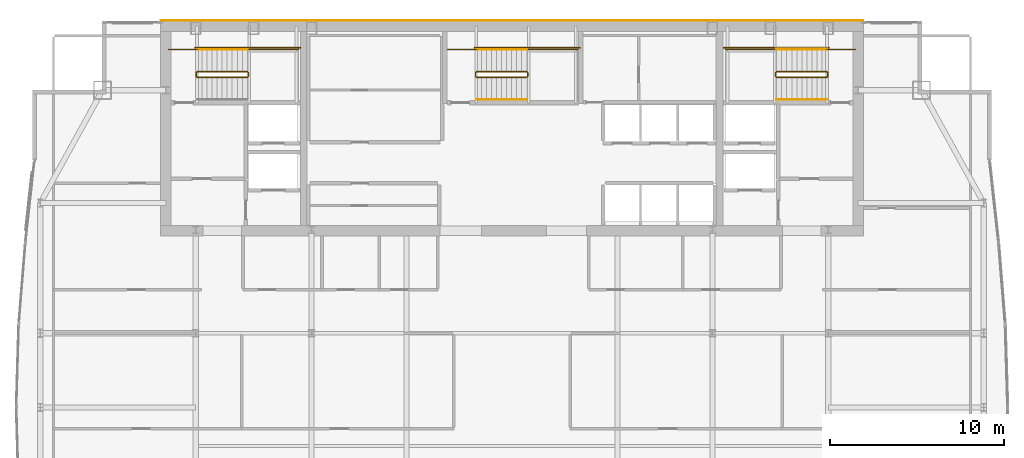
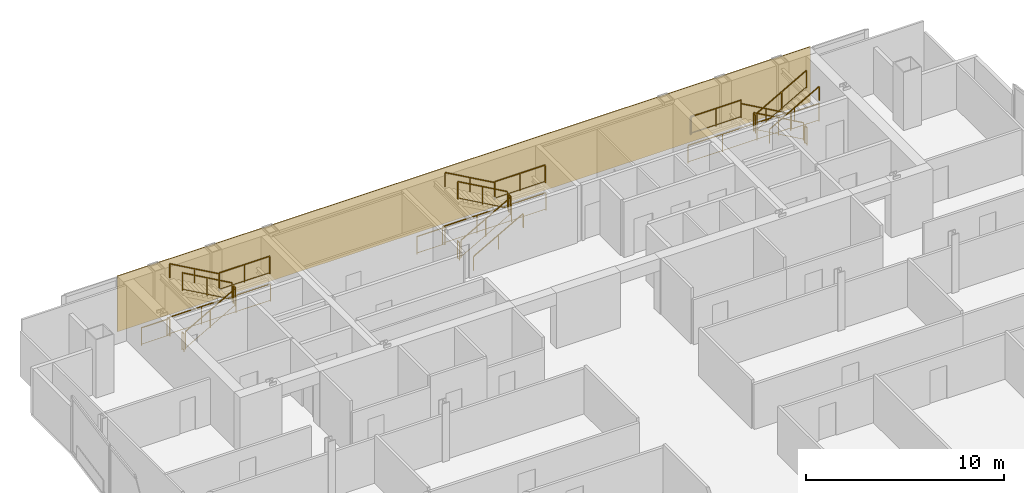
# One storey, part 29 of 29: 26 railings, 1 covering.
"""IFC4 building model written with IfcOpenShell, lengths in metres."""

import ifcopenshell
import ifcopenshell.guid

model = None  # the IFC model being written
_history = None  # IfcOwnerHistory: only IFC2X3 demands one
_inside = {}  # id of a spatial element -> (the spatial element, [elements in it])
_under = {}  # id of a project, library or spatial element -> (it, [spatial elements below it])
_declared = {}  # id of a project -> (the project, [libraries it declares])
_typed = {}  # id of a type object -> (the type object, [elements of that type])
_made_of = {}  # id of a material, layer set ... -> (it, [elements and type objects made of it])


def new_model(schema):
    """Start an empty IFC model of exactly this schema.

    Asked for "IFC4X3", IfcOpenShell would pick the latest addendum, in which some entities
    have other attributes; the version numbers below select the first issue.
    IFC2X3 requires an IfcOwnerHistory on every rooted entity: one is made here for all.
    """
    global model, _history
    if schema == "IFC4X3":
        model = ifcopenshell.file(schema_version=(4, 3, 0, 0))
    else:
        model = ifcopenshell.file(schema=schema)
    _inside.clear()
    _under.clear()
    _declared.clear()
    _typed.clear()
    _made_of.clear()
    _history = None
    if model.schema == "IFC2X3":
        org = make("IfcOrganization", Name="unknown")
        user = make(
            "IfcPersonAndOrganization",
            ThePerson=make("IfcPerson", FamilyName="unknown"),
            TheOrganization=org,
        )
        app = make(
            "IfcApplication",
            ApplicationDeveloper=org,
            Version="unknown",
            ApplicationFullName="unknown",
            ApplicationIdentifier="unknown",
        )
        _history = make(
            "IfcOwnerHistory",
            OwningUser=user,
            OwningApplication=app,
            ChangeAction="ADDED",
            CreationDate=0,
        )
    return model


def make(cls, **values):
    """One entity of the class cls with the attributes given. An attribute that is None is left unset."""
    return model.create_entity(
        cls, **{name: value for name, value in values.items() if value is not None}
    )


def rooted(cls, **values):
    """An entity with a GlobalId (a new one), such as an element, a storey or a relation."""
    return make(cls, GlobalId=ifcopenshell.guid.new(), OwnerHistory=_history, **values)


def si_unit(unit_type, name, prefix=None):
    """IfcSIUnit, for example si_unit("LENGTHUNIT", "METRE", prefix="MILLI")."""
    return make("IfcSIUnit", UnitType=unit_type, Prefix=prefix, Name=name)


def assignment(units):
    """IfcUnitAssignment: the units of a project."""
    return None if units is None else make("IfcUnitAssignment", Units=units)


def point(xyz):
    """IfcCartesianPoint."""
    return None if xyz is None else make("IfcCartesianPoint", Coordinates=xyz)


def direction(xyz):
    """IfcDirection."""
    return None if xyz is None else make("IfcDirection", DirectionRatios=xyz)


def frame(location, z_axis=None, x_axis=None):
    """IfcAxis2Placement3D, a coordinate frame: its origin and axes. An axis left out is left unset."""
    return make(
        "IfcAxis2Placement3D",
        Location=point(location),
        Axis=direction(z_axis),
        RefDirection=direction(x_axis),
    )


def frame_2d(location, x_axis=None):
    """IfcAxis2Placement2D, a coordinate frame in the plane: its origin and x axis."""
    return make(
        "IfcAxis2Placement2D", Location=point(location), RefDirection=direction(x_axis)
    )


def origin():
    """The frame at (0, 0, 0) with its axes left unset."""
    return frame((0.0, 0.0, 0.0))


def origin_2d():
    """The frame at (0, 0) in the plane with its x axis left unset."""
    return frame_2d((0.0, 0.0))


def place(relative_to, where):
    """IfcLocalPlacement: puts the frame where relative to a parent placement (None: the world)."""
    return make(
        "IfcLocalPlacement", PlacementRelTo=relative_to, RelativePlacement=where
    )


def context(
    kind, dimensions, precision=None, world=None, true_north=None, identifier=None
):
    """IfcGeometricRepresentationContext, for example the 3D "Model" context."""
    return make(
        "IfcGeometricRepresentationContext",
        ContextIdentifier=identifier,
        ContextType=kind,
        CoordinateSpaceDimension=dimensions,
        Precision=precision,
        WorldCoordinateSystem=world,
        TrueNorth=true_north,
    )


def subcontext(parent, identifier, kind, view, scale=None):
    """IfcGeometricRepresentationSubContext, for example "Body" below "Model"."""
    return make(
        "IfcGeometricRepresentationSubContext",
        ContextIdentifier=identifier,
        ContextType=kind,
        ParentContext=parent,
        TargetScale=scale,
        TargetView=view,
    )


def project(units=None, contexts=None):
    """IfcProject with its units and contexts."""
    return rooted(
        "IfcProject",
        Name="project",
        RepresentationContexts=contexts,
        UnitsInContext=assignment(units),
    )


def spatial(cls, under=None, at=None, **own):
    """A site, building, storey or space (cls), placed at a placement, below another one or the project."""
    s = rooted(cls, ObjectPlacement=at, **own)
    if under is not None:
        _under.setdefault(under.id(), (under, []))[1].append(s)
    return s


def polyline(points):
    """IfcPolyline through the points."""
    return make("IfcPolyline", Points=[point(p) for p in points])


def profile(cls, at=None, kind="AREA", **sizes):
    """A parametric profile (cls). Its sizes go by their IFC names, for example OverallWidth=200.0."""
    return make(cls, ProfileType=kind, Position=at, **sizes)


def rectangle(**sizes):
    """IfcRectangleProfileDef."""
    return profile("IfcRectangleProfileDef", **sizes)


def outline(outer, holes=None, kind="AREA"):
    """IfcArbitraryClosedProfileDef: a profile drawn as a closed curve; with holes, ...WithVoids."""
    if holes is None:
        return make("IfcArbitraryClosedProfileDef", ProfileType=kind, OuterCurve=outer)
    return make(
        "IfcArbitraryProfileDefWithVoids",
        ProfileType=kind,
        OuterCurve=outer,
        InnerCurves=holes,
    )


def extrude(swept, where, along, depth):
    """IfcExtrudedAreaSolid: the profile swept, set in the frame where, extruded along a direction by depth."""
    return make(
        "IfcExtrudedAreaSolid",
        SweptArea=swept,
        Position=where,
        ExtrudedDirection=direction(along),
        Depth=depth,
    )


def shape(context_of_items, identifier, shape_type, items):
    """IfcShapeRepresentation: the items that make up one representation, for example the "Body"."""
    return make(
        "IfcShapeRepresentation",
        ContextOfItems=context_of_items,
        RepresentationIdentifier=identifier,
        RepresentationType=shape_type,
        Items=items,
    )


def material(Name=None, Category=None):
    """IfcMaterial."""
    return make("IfcMaterial", Name=Name, Category=Category)


def layer(
    of_material, thickness, ventilated=None, Name=None, Category=None, Priority=None
):
    """IfcMaterialLayer: one layer of a wall or slab, of a material (None: an air gap)."""
    return make(
        "IfcMaterialLayer",
        Material=of_material,
        LayerThickness=thickness,
        IsVentilated=ventilated,
        Name=Name,
        Category=Category,
        Priority=Priority,
    )


def layer_set(layers, Name=None):
    """IfcMaterialLayerSet."""
    return make("IfcMaterialLayerSet", MaterialLayers=layers, LayerSetName=Name)


def made_of(thing, what):
    """Note that an element or type object is made of a material, layer set ...; save() writes the relation."""
    if what is not None:
        _made_of.setdefault(what.id(), (what, []))[1].append(thing)
    return thing


def type_object(cls, material=None, **own):
    """A type object (cls), such as IfcWallType, which elements share."""
    return made_of(rooted(cls, **own), material)


def element(
    cls,
    number,
    at=None,
    inside=None,
    cuts=None,
    type_object=None,
    material=None,
    context=None,
    identifier="Body",
    shape_type=None,
    held_by="IfcProductDefinitionShape",
    body=None,
    shapes=None,
    **own,
):
    """One element of the class cls, such as IfcWall. Its Tag is "e" and its number.

    at: its placement. inside: the storey or other place that contains it. cuts: it is an
    opening in that element (IfcRelVoidsElement). A single representation is given by context,
    identifier, shape_type and body (its items); several are given by shapes. held_by: the class
    of the entity that holds the representations. save() writes the other relations.
    """
    e = rooted(cls, Tag="e%d" % number, ObjectPlacement=at, **own)
    if body is not None:
        shapes = [shape(context, identifier, shape_type, body)]
    if shapes is not None:
        e.Representation = make(held_by, Representations=shapes)
    if inside is not None:
        _inside.setdefault(inside.id(), (inside, []))[1].append(e)
    if cuts is not None:
        rooted(
            "IfcRelVoidsElement", RelatingBuildingElement=cuts, RelatedOpeningElement=e
        )
    if type_object is not None:
        _typed.setdefault(type_object.id(), (type_object, []))[1].append(e)
    return made_of(e, material)


def aggregate(whole, parts):
    """IfcRelAggregates: a whole, such as a stair, and the parts it consists of."""
    return rooted("IfcRelAggregates", RelatingObject=whole, RelatedObjects=parts)


def save(model, path):
    """Write the relations noted so far, then the file.

    IfcRelAggregates (storeys below a building ...), IfcRelContainedInSpatialStructure (elements
    in a storey), IfcRelDefinesByType, IfcRelAssociatesMaterial and IfcRelDeclares: one each for
    every whole, place, type object, material and project.
    """
    for whole, parts in _under.values():
        aggregate(whole, parts)
    for where, things in _inside.values():
        rooted(
            "IfcRelContainedInSpatialStructure",
            RelatedElements=things,
            RelatingStructure=where,
        )
    for kind, things in _typed.values():
        rooted("IfcRelDefinesByType", RelatedObjects=things, RelatingType=kind)
    for what, things in _made_of.values():
        rooted("IfcRelAssociatesMaterial", RelatedObjects=things, RelatingMaterial=what)
    for by, libraries in _declared.values():
        rooted("IfcRelDeclares", RelatingContext=by, RelatedDefinitions=libraries)
    model.write(path)


model = new_model("IFC4")

# Units and contexts
model_context = context("Model", 3, precision=1e-05, world=origin(), true_north=direction((0.0, 1.0)))
body_context = subcontext(model_context, "Body", "Model", "MODEL_VIEW")
ifc_project = project(units=[si_unit("LENGTHUNIT", "METRE"), si_unit("AREAUNIT", "SQUARE_METRE"), si_unit("VOLUMEUNIT", "CUBIC_METRE"), si_unit("PLANEANGLEUNIT", "RADIAN"), si_unit("MASSUNIT", "GRAM", prefix="KILO")], contexts=[model_context])

# Site, building, storey
site_placement = place(None, origin())
site = spatial("IfcSite", under=ifc_project, at=site_placement, CompositionType="ELEMENT")
building_placement = place(site_placement, origin())
building = spatial("IfcBuilding", under=site, at=building_placement, Name="Khoronbel Lancet Exchange", CompositionType="ELEMENT")
storey_placement = place(building_placement, frame((0.0, 0.0, 242.60009765625)))
storey = spatial("IfcBuildingStorey", under=building, at=storey_placement, Name="L62", CompositionType="ELEMENT", Elevation=242.60009765625)

# Covering
ifc_material_1 = material(Name="Honed Egyptian Limestone & Bronze Rainscreen", Category="masonry")
ifc_layer = layer(ifc_material_1, 0.050048828125, Name="Honed Egyptian Limestone & Bronze Rainscreen")
ifc_layer_set = layer_set([ifc_layer], Name="Honed Egyptian Limestone & Bronze Rainscreen")
covering_type = type_object("IfcCoveringType", Name="COV-CLAD1", PredefinedType="CLADDING", material=ifc_layer_set)
covering_placement = place(storey_placement, origin())
element("IfcCovering", 1, at=covering_placement, inside=storey, type_object=covering_type, Name="Level L62 north rear-core stone and bronze rainscreen cladding", PredefinedType="CLADDING", context=body_context, shape_type="SweptSolid", body=[
    extrude(outline(polyline([(16.199951171875, 53.699951171875), (56.699951171875, 53.699951171875), (56.699951171875, 53.75), (16.199951171875, 53.75), (16.199951171875, 53.699951171875)])), origin(), (0.0, 0.0, 1.0), 3.43994140625),
])

# Railings
ifc_material_2 = material(Name="Painted Steel Balustrade", Category="steel")
railing_type_1 = type_object("IfcRailingType", Name="RL-STG110", PredefinedType="GUARDRAIL", material=ifc_material_2)
railing_1_placement = place(storey_placement, frame((18.300048828125, 50.449951171875, 0.16357421875)))
element("IfcRailing", 2, at=railing_1_placement, inside=storey, type_object=railing_type_1, Name="L62 ST1 stair guard 1", PredefinedType="GUARDRAIL", context=body_context, shape_type="SweptSolid", body=[
    extrude(rectangle(XDim=0.048095703125, YDim=0.048095703125, at=origin_2d()), frame((0.0, 0.0, 1.09619140625), z_axis=(0.870928581787, 0.0, 0.491409610636), x_axis=(0.0, 1.0, 0.0)), (0.0, 0.0, 1.0), 3.32958984375),
    extrude(rectangle(XDim=0.02392578125, YDim=0.02392578125, at=origin_2d()), frame((0.0, 0.0, 0.080078125), z_axis=(0.870928581787, 0.0, 0.491409610636), x_axis=(0.0, 1.0, 0.0)), (0.0, 0.0, 1.0), 3.32958984375),
    extrude(rectangle(XDim=0.0419921875, YDim=0.0419921875, at=origin_2d()), origin(), (0.0, 0.0, 1.0), 1.072021484375),
    extrude(rectangle(XDim=0.0419921875, YDim=0.0419921875, at=origin_2d()), frame((1.449951171875, 0.0, 0.818115234375)), (0.0, 0.0, 1.0), 1.072021484375),
    extrude(rectangle(XDim=0.0419921875, YDim=0.0419921875, at=origin_2d()), frame((2.89990234375, 0.0, 1.63623046875)), (0.0, 0.0, 1.0), 1.072021484375),
])
railing_2_placement = place(storey_placement, frame((21.25, 50.5, 1.7998046875)))
element("IfcRailing", 3, at=railing_2_placement, inside=storey, type_object=railing_type_1, Name="L62 ST1 stair guard 2", PredefinedType="GUARDRAIL", context=body_context, shape_type="SweptSolid", body=[
    extrude(rectangle(XDim=0.048095703125, YDim=0.048095703125, at=origin_2d()), frame((0.0, 0.0, 1.09619140625), z_axis=(0.0, 1.0, 0.0), x_axis=(-1.0, 0.0, 0.0)), (0.0, 0.0, 1.0), 0.219970703125),
    extrude(rectangle(XDim=0.02392578125, YDim=0.02392578125, at=origin_2d()), frame((0.0, 0.0, 0.080078125), z_axis=(0.0, 1.0, 0.0), x_axis=(-1.0, 0.0, 0.0)), (0.0, 0.0, 1.0), 0.219970703125),
    extrude(rectangle(XDim=0.0419921875, YDim=0.0419921875, at=origin_2d()), origin(), (0.0, 0.0, 1.0), 1.072021484375),
    extrude(rectangle(XDim=0.0419921875, YDim=0.0419921875, at=origin_2d()), frame((0.0, 0.219970703125, 0.0)), (0.0, 0.0, 1.0), 1.072021484375),
])
railing_3_placement = place(storey_placement, frame((21.199951171875, 52.050048828125, 1.7998046875)))
element("IfcRailing", 4, at=railing_3_placement, inside=storey, type_object=railing_type_1, Name="L62 ST1 stair guard 3", PredefinedType="GUARDRAIL", context=body_context, shape_type="SweptSolid", body=[
    extrude(rectangle(XDim=0.048095703125, YDim=0.048095703125, at=origin_2d()), frame((0.0, 0.0, 1.09619140625), z_axis=(1.0, 0.0, 0.0), x_axis=(0.0, 1.0, 0.0)), (0.0, 0.0, 1.0), 2.949951171875),
    extrude(rectangle(XDim=0.02392578125, YDim=0.02392578125, at=origin_2d()), frame((0.0, 0.0, 0.080078125), z_axis=(1.0, 0.0, 0.0), x_axis=(0.0, 1.0, 0.0)), (0.0, 0.0, 1.0), 2.949951171875),
    extrude(rectangle(XDim=0.0419921875, YDim=0.0419921875, at=origin_2d()), origin(), (0.0, 0.0, 1.0), 1.072021484375),
    extrude(rectangle(XDim=0.0419921875, YDim=0.0419921875, at=origin_2d()), frame((1.47509765625, 0.0, 0.0)), (0.0, 0.0, 1.0), 1.072021484375),
    extrude(rectangle(XDim=0.0419921875, YDim=0.0419921875, at=origin_2d()), frame((2.949951171875, 0.0, 0.0)), (0.0, 0.0, 1.0), 1.072021484375),
])
railing_4_placement = place(storey_placement, frame((21.199951171875, 50.77001953125, 1.963623046875)))
element("IfcRailing", 5, at=railing_4_placement, inside=storey, type_object=railing_type_1, Name="L62 ST1 stair guard 4", PredefinedType="GUARDRAIL", context=body_context, shape_type="SweptSolid", body=[
    extrude(rectangle(XDim=0.048095703125, YDim=0.048095703125, at=origin_2d()), frame((0.0, 0.0, 1.09619140625), z_axis=(-0.870928581787, 0.0, 0.491409610636), x_axis=(0.0, -1.0, 0.0)), (0.0, 0.0, 1.0), 3.32958984375),
    extrude(rectangle(XDim=0.02392578125, YDim=0.02392578125, at=origin_2d()), frame((0.0, 0.0, 0.080078125), z_axis=(-0.870928581787, 0.0, 0.491409610636), x_axis=(0.0, -1.0, 0.0)), (0.0, 0.0, 1.0), 3.32958984375),
    extrude(rectangle(XDim=0.0419921875, YDim=0.0419921875, at=origin_2d()), origin(), (0.0, 0.0, 1.0), 1.072021484375),
    extrude(rectangle(XDim=0.0419921875, YDim=0.0419921875, at=origin_2d()), frame((-1.449951171875, 0.0, 0.818115234375)), (0.0, 0.0, 1.0), 1.072021484375),
    extrude(rectangle(XDim=0.0419921875, YDim=0.0419921875, at=origin_2d()), frame((-2.89990234375, 0.0, 1.63623046875)), (0.0, 0.0, 1.0), 1.072021484375),
])
railing_5_placement = place(storey_placement, frame((18.25, 50.5, 0.0)))
element("IfcRailing", 6, at=railing_5_placement, inside=storey, type_object=railing_type_1, Name="L62 ST1 stair guard 5", PredefinedType="GUARDRAIL", context=body_context, shape_type="SweptSolid", body=[
    extrude(rectangle(XDim=0.048095703125, YDim=0.048095703125, at=origin_2d()), frame((0.0, 0.0, 1.09619140625), z_axis=(0.0, 1.0, 0.0), x_axis=(-1.0, 0.0, 0.0)), (0.0, 0.0, 1.0), 0.219970703125),
    extrude(rectangle(XDim=0.02392578125, YDim=0.02392578125, at=origin_2d()), frame((0.0, 0.0, 0.080078125), z_axis=(0.0, 1.0, 0.0), x_axis=(-1.0, 0.0, 0.0)), (0.0, 0.0, 1.0), 0.219970703125),
    extrude(rectangle(XDim=0.0419921875, YDim=0.0419921875, at=origin_2d()), origin(), (0.0, 0.0, 1.0), 1.072021484375),
    extrude(rectangle(XDim=0.0419921875, YDim=0.0419921875, at=origin_2d()), frame((0.0, 0.219970703125, 0.0)), (0.0, 0.0, 1.0), 1.072021484375),
])
railing_6_placement = place(storey_placement, frame((16.64990234375, 52.050048828125, 0.0)))
element("IfcRailing", 7, at=railing_6_placement, inside=storey, type_object=railing_type_1, Name="L62 ST1 stair guard 6", PredefinedType="GUARDRAIL", context=body_context, shape_type="SweptSolid", body=[
    extrude(rectangle(XDim=0.048095703125, YDim=0.048095703125, at=origin_2d()), frame((0.0, 0.0, 1.09619140625), z_axis=(1.0, 0.0, 0.0), x_axis=(0.0, 1.0, 0.0)), (0.0, 0.0, 1.0), 1.650146484375),
    extrude(rectangle(XDim=0.02392578125, YDim=0.02392578125, at=origin_2d()), frame((0.0, 0.0, 0.080078125), z_axis=(1.0, 0.0, 0.0), x_axis=(0.0, 1.0, 0.0)), (0.0, 0.0, 1.0), 1.650146484375),
    extrude(rectangle(XDim=0.0419921875, YDim=0.0419921875, at=origin_2d()), origin(), (0.0, 0.0, 1.0), 1.072021484375),
    extrude(rectangle(XDim=0.0419921875, YDim=0.0419921875, at=origin_2d()), frame((1.650146484375, 0.0, 0.0)), (0.0, 0.0, 1.0), 1.072021484375),
])
railing_7_placement = place(storey_placement, frame((18.199951171875, 52.14990234375, 0.0)))
element("IfcRailing", 8, at=railing_7_placement, inside=storey, type_object=railing_type_1, Name="L62 ST1 stair guard 7", PredefinedType="GUARDRAIL", context=body_context, shape_type="SweptSolid", body=[
    extrude(rectangle(XDim=0.048095703125, YDim=0.048095703125, at=origin_2d()), frame((0.0, 0.0, 1.09619140625), z_axis=(1.0, 0.0, 0.0), x_axis=(0.0, 1.0, 0.0)), (0.0, 0.0, 1.0), 6.050048828125),
    extrude(rectangle(XDim=0.02392578125, YDim=0.02392578125, at=origin_2d()), frame((0.0, 0.0, 0.080078125), z_axis=(1.0, 0.0, 0.0), x_axis=(0.0, 1.0, 0.0)), (0.0, 0.0, 1.0), 6.050048828125),
    extrude(rectangle(XDim=0.0419921875, YDim=0.0419921875, at=origin_2d()), origin(), (0.0, 0.0, 1.0), 1.072021484375),
    extrude(rectangle(XDim=0.0419921875, YDim=0.0419921875, at=origin_2d()), frame((2.0166015625, 0.0, 0.0)), (0.0, 0.0, 1.0), 1.072021484375),
    extrude(rectangle(XDim=0.0419921875, YDim=0.0419921875, at=origin_2d()), frame((4.033447265625, 0.0, 0.0)), (0.0, 0.0, 1.0), 1.072021484375),
    extrude(rectangle(XDim=0.0419921875, YDim=0.0419921875, at=origin_2d()), frame((6.050048828125, 0.0, 0.0)), (0.0, 0.0, 1.0), 1.072021484375),
])
railing_8_placement = place(storey_placement, frame((54.60009765625, 50.77001953125, 0.16357421875)))
element("IfcRailing", 9, at=railing_8_placement, inside=storey, type_object=railing_type_1, Name="L62 ST2 stair guard 1", PredefinedType="GUARDRAIL", context=body_context, shape_type="SweptSolid", body=[
    extrude(rectangle(XDim=0.048095703125, YDim=0.048095703125, at=origin_2d()), frame((0.0, 0.0, 1.09619140625), z_axis=(-0.870946286338, 0.0, 0.49137823142), x_axis=(0.0, -1.0, 0.0)), (0.0, 0.0, 1.0), 3.329833984375),
    extrude(rectangle(XDim=0.02392578125, YDim=0.02392578125, at=origin_2d()), frame((0.0, 0.0, 0.080078125), z_axis=(-0.870946286338, 0.0, 0.49137823142), x_axis=(0.0, -1.0, 0.0)), (0.0, 0.0, 1.0), 3.329833984375),
    extrude(rectangle(XDim=0.0419921875, YDim=0.0419921875, at=origin_2d()), origin(), (0.0, 0.0, 1.0), 1.072021484375),
    extrude(rectangle(XDim=0.0419921875, YDim=0.0419921875, at=origin_2d()), frame((-1.4501953125, 0.0, 0.818115234375)), (0.0, 0.0, 1.0), 1.072021484375),
    extrude(rectangle(XDim=0.0419921875, YDim=0.0419921875, at=origin_2d()), frame((-2.900146484375, 0.0, 1.63623046875)), (0.0, 0.0, 1.0), 1.072021484375),
])
railing_9_placement = place(storey_placement, frame((51.64990234375, 50.719970703125, 1.7998046875)))
element("IfcRailing", 10, at=railing_9_placement, inside=storey, type_object=railing_type_1, Name="L62 ST2 stair guard 2", PredefinedType="GUARDRAIL", context=body_context, shape_type="SweptSolid", body=[
    extrude(rectangle(XDim=0.048095703125, YDim=0.048095703125, at=origin_2d()), frame((0.0, 0.0, 1.09619140625), z_axis=(0.0, -1.0, 0.0), x_axis=(1.0, 0.0, 0.0)), (0.0, 0.0, 1.0), 0.219970703125),
    extrude(rectangle(XDim=0.02392578125, YDim=0.02392578125, at=origin_2d()), frame((0.0, 0.0, 0.080078125), z_axis=(0.0, -1.0, 0.0), x_axis=(1.0, 0.0, 0.0)), (0.0, 0.0, 1.0), 0.219970703125),
    extrude(rectangle(XDim=0.0419921875, YDim=0.0419921875, at=origin_2d()), origin(), (0.0, 0.0, 1.0), 1.072021484375),
    extrude(rectangle(XDim=0.0419921875, YDim=0.0419921875, at=origin_2d()), frame((0.0, -0.219970703125, 0.0)), (0.0, 0.0, 1.0), 1.072021484375),
])
railing_10_placement = place(storey_placement, frame((51.699951171875, 52.050048828125, 1.7998046875)))
element("IfcRailing", 11, at=railing_10_placement, inside=storey, type_object=railing_type_1, Name="L62 ST2 stair guard 3", PredefinedType="GUARDRAIL", context=body_context, shape_type="SweptSolid", body=[
    extrude(rectangle(XDim=0.048095703125, YDim=0.048095703125, at=origin_2d()), frame((0.0, 0.0, 1.09619140625), z_axis=(-1.0, 0.0, 0.0), x_axis=(0.0, -1.0, 0.0)), (0.0, 0.0, 1.0), 2.949951171875),
    extrude(rectangle(XDim=0.02392578125, YDim=0.02392578125, at=origin_2d()), frame((0.0, 0.0, 0.080078125), z_axis=(-1.0, 0.0, 0.0), x_axis=(0.0, -1.0, 0.0)), (0.0, 0.0, 1.0), 2.949951171875),
    extrude(rectangle(XDim=0.0419921875, YDim=0.0419921875, at=origin_2d()), origin(), (0.0, 0.0, 1.0), 1.072021484375),
    extrude(rectangle(XDim=0.0419921875, YDim=0.0419921875, at=origin_2d()), frame((-1.47509765625, 0.0, 0.0)), (0.0, 0.0, 1.0), 1.072021484375),
    extrude(rectangle(XDim=0.0419921875, YDim=0.0419921875, at=origin_2d()), frame((-2.949951171875, 0.0, 0.0)), (0.0, 0.0, 1.0), 1.072021484375),
])
railing_11_placement = place(storey_placement, frame((51.699951171875, 50.449951171875, 1.963623046875)))
element("IfcRailing", 12, at=railing_11_placement, inside=storey, type_object=railing_type_1, Name="L62 ST2 stair guard 4", PredefinedType="GUARDRAIL", context=body_context, shape_type="SweptSolid", body=[
    extrude(rectangle(XDim=0.048095703125, YDim=0.048095703125, at=origin_2d()), frame((0.0, 0.0, 1.09619140625), z_axis=(0.870946286338, 0.0, 0.49137823142), x_axis=(0.0, 1.0, 0.0)), (0.0, 0.0, 1.0), 3.329833984375),
    extrude(rectangle(XDim=0.02392578125, YDim=0.02392578125, at=origin_2d()), frame((0.0, 0.0, 0.080078125), z_axis=(0.870946286338, 0.0, 0.49137823142), x_axis=(0.0, 1.0, 0.0)), (0.0, 0.0, 1.0), 3.329833984375),
    extrude(rectangle(XDim=0.0419921875, YDim=0.0419921875, at=origin_2d()), origin(), (0.0, 0.0, 1.0), 1.072021484375),
    extrude(rectangle(XDim=0.0419921875, YDim=0.0419921875, at=origin_2d()), frame((1.4501953125, 0.0, 0.818115234375)), (0.0, 0.0, 1.0), 1.072021484375),
    extrude(rectangle(XDim=0.0419921875, YDim=0.0419921875, at=origin_2d()), frame((2.900146484375, 0.0, 1.63623046875)), (0.0, 0.0, 1.0), 1.072021484375),
])
railing_12_placement = place(storey_placement, frame((54.64990234375, 50.719970703125, 0.0)))
element("IfcRailing", 13, at=railing_12_placement, inside=storey, type_object=railing_type_1, Name="L62 ST2 stair guard 5", PredefinedType="GUARDRAIL", context=body_context, shape_type="SweptSolid", body=[
    extrude(rectangle(XDim=0.048095703125, YDim=0.048095703125, at=origin_2d()), frame((0.0, 0.0, 1.09619140625), z_axis=(0.0, -1.0, 0.0), x_axis=(1.0, 0.0, 0.0)), (0.0, 0.0, 1.0), 0.219970703125),
    extrude(rectangle(XDim=0.02392578125, YDim=0.02392578125, at=origin_2d()), frame((0.0, 0.0, 0.080078125), z_axis=(0.0, -1.0, 0.0), x_axis=(1.0, 0.0, 0.0)), (0.0, 0.0, 1.0), 0.219970703125),
    extrude(rectangle(XDim=0.0419921875, YDim=0.0419921875, at=origin_2d()), origin(), (0.0, 0.0, 1.0), 1.072021484375),
    extrude(rectangle(XDim=0.0419921875, YDim=0.0419921875, at=origin_2d()), frame((0.0, -0.219970703125, 0.0)), (0.0, 0.0, 1.0), 1.072021484375),
])
railing_13_placement = place(storey_placement, frame((56.25, 52.050048828125, 0.0)))
element("IfcRailing", 14, at=railing_13_placement, inside=storey, type_object=railing_type_1, Name="L62 ST2 stair guard 6", PredefinedType="GUARDRAIL", context=body_context, shape_type="SweptSolid", body=[
    extrude(rectangle(XDim=0.048095703125, YDim=0.048095703125, at=origin_2d()), frame((0.0, 0.0, 1.09619140625), z_axis=(-1.0, 0.0, 0.0), x_axis=(0.0, -1.0, 0.0)), (0.0, 0.0, 1.0), 1.64990234375),
    extrude(rectangle(XDim=0.02392578125, YDim=0.02392578125, at=origin_2d()), frame((0.0, 0.0, 0.080078125), z_axis=(-1.0, 0.0, 0.0), x_axis=(0.0, -1.0, 0.0)), (0.0, 0.0, 1.0), 1.64990234375),
    extrude(rectangle(XDim=0.0419921875, YDim=0.0419921875, at=origin_2d()), origin(), (0.0, 0.0, 1.0), 1.072021484375),
    extrude(rectangle(XDim=0.0419921875, YDim=0.0419921875, at=origin_2d()), frame((-1.64990234375, 0.0, 0.0)), (0.0, 0.0, 1.0), 1.072021484375),
])
railing_14_placement = place(storey_placement, frame((54.699951171875, 52.14990234375, 0.0)))
element("IfcRailing", 15, at=railing_14_placement, inside=storey, type_object=railing_type_1, Name="L62 ST2 stair guard 7", PredefinedType="GUARDRAIL", context=body_context, shape_type="SweptSolid", body=[
    extrude(rectangle(XDim=0.048095703125, YDim=0.048095703125, at=origin_2d()), frame((0.0, 0.0, 1.09619140625), z_axis=(-1.0, 0.0, 0.0), x_axis=(0.0, -1.0, 0.0)), (0.0, 0.0, 1.0), 6.050048828125),
    extrude(rectangle(XDim=0.02392578125, YDim=0.02392578125, at=origin_2d()), frame((0.0, 0.0, 0.080078125), z_axis=(-1.0, 0.0, 0.0), x_axis=(0.0, -1.0, 0.0)), (0.0, 0.0, 1.0), 6.050048828125),
    extrude(rectangle(XDim=0.0419921875, YDim=0.0419921875, at=origin_2d()), origin(), (0.0, 0.0, 1.0), 1.072021484375),
    extrude(rectangle(XDim=0.0419921875, YDim=0.0419921875, at=origin_2d()), frame((-2.0166015625, 0.0, 0.0)), (0.0, 0.0, 1.0), 1.072021484375),
    extrude(rectangle(XDim=0.0419921875, YDim=0.0419921875, at=origin_2d()), frame((-4.033447265625, 0.0, 0.0)), (0.0, 0.0, 1.0), 1.072021484375),
    extrude(rectangle(XDim=0.0419921875, YDim=0.0419921875, at=origin_2d()), frame((-6.050048828125, 0.0, 0.0)), (0.0, 0.0, 1.0), 1.072021484375),
])
railing_15_placement = place(storey_placement, frame((34.39990234375, 50.449951171875, 0.16357421875)))
element("IfcRailing", 16, at=railing_15_placement, inside=storey, type_object=railing_type_1, Name="L62 ST3 stair guard 1", PredefinedType="GUARDRAIL", context=body_context, shape_type="SweptSolid", body=[
    extrude(rectangle(XDim=0.048095703125, YDim=0.048095703125, at=origin_2d()), frame((0.0, 0.0, 1.09619140625), z_axis=(0.870946286338, 0.0, 0.49137823142), x_axis=(0.0, 1.0, 0.0)), (0.0, 0.0, 1.0), 3.329833984375),
    extrude(rectangle(XDim=0.02392578125, YDim=0.02392578125, at=origin_2d()), frame((0.0, 0.0, 0.080078125), z_axis=(0.870946286338, 0.0, 0.49137823142), x_axis=(0.0, 1.0, 0.0)), (0.0, 0.0, 1.0), 3.329833984375),
    extrude(rectangle(XDim=0.0419921875, YDim=0.0419921875, at=origin_2d()), origin(), (0.0, 0.0, 1.0), 1.072021484375),
    extrude(rectangle(XDim=0.0419921875, YDim=0.0419921875, at=origin_2d()), frame((1.4501953125, 0.0, 0.818115234375)), (0.0, 0.0, 1.0), 1.072021484375),
    extrude(rectangle(XDim=0.0419921875, YDim=0.0419921875, at=origin_2d()), frame((2.900146484375, 0.0, 1.63623046875)), (0.0, 0.0, 1.0), 1.072021484375),
])
railing_16_placement = place(storey_placement, frame((37.35009765625, 50.5, 1.7998046875)))
element("IfcRailing", 17, at=railing_16_placement, inside=storey, type_object=railing_type_1, Name="L62 ST3 stair guard 2", PredefinedType="GUARDRAIL", context=body_context, shape_type="SweptSolid", body=[
    extrude(rectangle(XDim=0.048095703125, YDim=0.048095703125, at=origin_2d()), frame((0.0, 0.0, 1.09619140625), z_axis=(0.0, 1.0, 0.0), x_axis=(-1.0, 0.0, 0.0)), (0.0, 0.0, 1.0), 0.219970703125),
    extrude(rectangle(XDim=0.02392578125, YDim=0.02392578125, at=origin_2d()), frame((0.0, 0.0, 0.080078125), z_axis=(0.0, 1.0, 0.0), x_axis=(-1.0, 0.0, 0.0)), (0.0, 0.0, 1.0), 0.219970703125),
    extrude(rectangle(XDim=0.0419921875, YDim=0.0419921875, at=origin_2d()), origin(), (0.0, 0.0, 1.0), 1.072021484375),
    extrude(rectangle(XDim=0.0419921875, YDim=0.0419921875, at=origin_2d()), frame((0.0, 0.219970703125, 0.0)), (0.0, 0.0, 1.0), 1.072021484375),
])
railing_17_placement = place(storey_placement, frame((37.300048828125, 52.050048828125, 1.7998046875)))
element("IfcRailing", 18, at=railing_17_placement, inside=storey, type_object=railing_type_1, Name="L62 ST3 stair guard 3", PredefinedType="GUARDRAIL", context=body_context, shape_type="SweptSolid", body=[
    extrude(rectangle(XDim=0.048095703125, YDim=0.048095703125, at=origin_2d()), frame((0.0, 0.0, 1.09619140625), z_axis=(1.0, 0.0, 0.0), x_axis=(0.0, 1.0, 0.0)), (0.0, 0.0, 1.0), 2.949951171875),
    extrude(rectangle(XDim=0.02392578125, YDim=0.02392578125, at=origin_2d()), frame((0.0, 0.0, 0.080078125), z_axis=(1.0, 0.0, 0.0), x_axis=(0.0, 1.0, 0.0)), (0.0, 0.0, 1.0), 2.949951171875),
    extrude(rectangle(XDim=0.0419921875, YDim=0.0419921875, at=origin_2d()), origin(), (0.0, 0.0, 1.0), 1.072021484375),
    extrude(rectangle(XDim=0.0419921875, YDim=0.0419921875, at=origin_2d()), frame((1.47509765625, 0.0, 0.0)), (0.0, 0.0, 1.0), 1.072021484375),
    extrude(rectangle(XDim=0.0419921875, YDim=0.0419921875, at=origin_2d()), frame((2.949951171875, 0.0, 0.0)), (0.0, 0.0, 1.0), 1.072021484375),
])
railing_18_placement = place(storey_placement, frame((37.300048828125, 50.77001953125, 1.963623046875)))
element("IfcRailing", 19, at=railing_18_placement, inside=storey, type_object=railing_type_1, Name="L62 ST3 stair guard 4", PredefinedType="GUARDRAIL", context=body_context, shape_type="SweptSolid", body=[
    extrude(rectangle(XDim=0.048095703125, YDim=0.048095703125, at=origin_2d()), frame((0.0, 0.0, 1.09619140625), z_axis=(-0.870946286338, 0.0, 0.49137823142), x_axis=(0.0, -1.0, 0.0)), (0.0, 0.0, 1.0), 3.329833984375),
    extrude(rectangle(XDim=0.02392578125, YDim=0.02392578125, at=origin_2d()), frame((0.0, 0.0, 0.080078125), z_axis=(-0.870946286338, 0.0, 0.49137823142), x_axis=(0.0, -1.0, 0.0)), (0.0, 0.0, 1.0), 3.329833984375),
    extrude(rectangle(XDim=0.0419921875, YDim=0.0419921875, at=origin_2d()), origin(), (0.0, 0.0, 1.0), 1.072021484375),
    extrude(rectangle(XDim=0.0419921875, YDim=0.0419921875, at=origin_2d()), frame((-1.4501953125, 0.0, 0.818115234375)), (0.0, 0.0, 1.0), 1.072021484375),
    extrude(rectangle(XDim=0.0419921875, YDim=0.0419921875, at=origin_2d()), frame((-2.900146484375, 0.0, 1.63623046875)), (0.0, 0.0, 1.0), 1.072021484375),
])
railing_19_placement = place(storey_placement, frame((34.35009765625, 50.5, 0.0)))
element("IfcRailing", 20, at=railing_19_placement, inside=storey, type_object=railing_type_1, Name="L62 ST3 stair guard 5", PredefinedType="GUARDRAIL", context=body_context, shape_type="SweptSolid", body=[
    extrude(rectangle(XDim=0.048095703125, YDim=0.048095703125, at=origin_2d()), frame((0.0, 0.0, 1.09619140625), z_axis=(0.0, 1.0, 0.0), x_axis=(-1.0, 0.0, 0.0)), (0.0, 0.0, 1.0), 0.219970703125),
    extrude(rectangle(XDim=0.02392578125, YDim=0.02392578125, at=origin_2d()), frame((0.0, 0.0, 0.080078125), z_axis=(0.0, 1.0, 0.0), x_axis=(-1.0, 0.0, 0.0)), (0.0, 0.0, 1.0), 0.219970703125),
    extrude(rectangle(XDim=0.0419921875, YDim=0.0419921875, at=origin_2d()), origin(), (0.0, 0.0, 1.0), 1.072021484375),
    extrude(rectangle(XDim=0.0419921875, YDim=0.0419921875, at=origin_2d()), frame((0.0, 0.219970703125, 0.0)), (0.0, 0.0, 1.0), 1.072021484375),
])
railing_20_placement = place(storey_placement, frame((32.75, 52.050048828125, 0.0)))
element("IfcRailing", 21, at=railing_20_placement, inside=storey, type_object=railing_type_1, Name="L62 ST3 stair guard 6", PredefinedType="GUARDRAIL", context=body_context, shape_type="SweptSolid", body=[
    extrude(rectangle(XDim=0.048095703125, YDim=0.048095703125, at=origin_2d()), frame((0.0, 0.0, 1.09619140625), z_axis=(1.0, 0.0, 0.0), x_axis=(0.0, 1.0, 0.0)), (0.0, 0.0, 1.0), 1.64990234375),
    extrude(rectangle(XDim=0.02392578125, YDim=0.02392578125, at=origin_2d()), frame((0.0, 0.0, 0.080078125), z_axis=(1.0, 0.0, 0.0), x_axis=(0.0, 1.0, 0.0)), (0.0, 0.0, 1.0), 1.64990234375),
    extrude(rectangle(XDim=0.0419921875, YDim=0.0419921875, at=origin_2d()), origin(), (0.0, 0.0, 1.0), 1.072021484375),
    extrude(rectangle(XDim=0.0419921875, YDim=0.0419921875, at=origin_2d()), frame((1.64990234375, 0.0, 0.0)), (0.0, 0.0, 1.0), 1.072021484375),
])
railing_21_placement = place(storey_placement, frame((34.300048828125, 52.14990234375, 0.0)))
element("IfcRailing", 22, at=railing_21_placement, inside=storey, type_object=railing_type_1, Name="L62 ST3 stair guard 7", PredefinedType="GUARDRAIL", context=body_context, shape_type="SweptSolid", body=[
    extrude(rectangle(XDim=0.048095703125, YDim=0.048095703125, at=origin_2d()), frame((0.0, 0.0, 1.09619140625), z_axis=(1.0, 0.0, 0.0), x_axis=(0.0, 1.0, 0.0)), (0.0, 0.0, 1.0), 6.050048828125),
    extrude(rectangle(XDim=0.02392578125, YDim=0.02392578125, at=origin_2d()), frame((0.0, 0.0, 0.080078125), z_axis=(1.0, 0.0, 0.0), x_axis=(0.0, 1.0, 0.0)), (0.0, 0.0, 1.0), 6.050048828125),
    extrude(rectangle(XDim=0.0419921875, YDim=0.0419921875, at=origin_2d()), origin(), (0.0, 0.0, 1.0), 1.072021484375),
    extrude(rectangle(XDim=0.0419921875, YDim=0.0419921875, at=origin_2d()), frame((2.0166015625, 0.0, 0.0)), (0.0, 0.0, 1.0), 1.072021484375),
    extrude(rectangle(XDim=0.0419921875, YDim=0.0419921875, at=origin_2d()), frame((4.033447265625, 0.0, 0.0)), (0.0, 0.0, 1.0), 1.072021484375),
    extrude(rectangle(XDim=0.0419921875, YDim=0.0419921875, at=origin_2d()), frame((6.050048828125, 0.0, 0.0)), (0.0, 0.0, 1.0), 1.072021484375),
])
ifc_material_3 = material(Name="Brushed Stainless Steel 316", Category="steel")
railing_type_2 = type_object("IfcRailingType", Name="RL-STH92", PredefinedType="HANDRAIL", material=ifc_material_3)
railing_22_placement = place(storey_placement, frame((21.199951171875, 52.050048828125, 1.963623046875)))
element("IfcRailing", 23, at=railing_22_placement, inside=storey, type_object=railing_type_2, Name="L62 ST1 stair handrail 2", PredefinedType="HANDRAIL", context=body_context, shape_type="SweptSolid", body=[
    extrude(rectangle(XDim=0.048095703125, YDim=0.048095703125, at=origin_2d()), frame((0.0, 0.0, 0.8759765625), z_axis=(-0.870928581787, 0.0, 0.491409610636), x_axis=(0.0, -1.0, 0.0)), (0.0, 0.0, 1.0), 3.32958984375),
    extrude(rectangle(XDim=0.0419921875, YDim=0.0419921875, at=origin_2d()), origin(), (0.0, 0.0, 1.0), 0.851806640625),
    extrude(rectangle(XDim=0.0419921875, YDim=0.0419921875, at=origin_2d()), frame((-1.449951171875, 0.0, 0.818115234375)), (0.0, 0.0, 1.0), 0.851806640625),
    extrude(rectangle(XDim=0.0419921875, YDim=0.0419921875, at=origin_2d()), frame((-2.89990234375, 0.0, 1.63623046875)), (0.0, 0.0, 1.0), 0.851806640625),
])
railing_23_placement = place(storey_placement, frame((54.60009765625, 52.050048828125, 0.16357421875)))
element("IfcRailing", 24, at=railing_23_placement, inside=storey, type_object=railing_type_2, Name="L62 ST2 stair handrail 1", PredefinedType="HANDRAIL", context=body_context, shape_type="SweptSolid", body=[
    extrude(rectangle(XDim=0.048095703125, YDim=0.048095703125, at=origin_2d()), frame((0.0, 0.0, 0.8759765625), z_axis=(-0.870946286338, 0.0, 0.49137823142), x_axis=(0.0, -1.0, 0.0)), (0.0, 0.0, 1.0), 3.329833984375),
    extrude(rectangle(XDim=0.0419921875, YDim=0.0419921875, at=origin_2d()), origin(), (0.0, 0.0, 1.0), 0.851806640625),
    extrude(rectangle(XDim=0.0419921875, YDim=0.0419921875, at=origin_2d()), frame((-1.4501953125, 0.0, 0.818115234375)), (0.0, 0.0, 1.0), 0.851806640625),
    extrude(rectangle(XDim=0.0419921875, YDim=0.0419921875, at=origin_2d()), frame((-2.900146484375, 0.0, 1.63623046875)), (0.0, 0.0, 1.0), 0.851806640625),
])
for number, where, name in (
    (25, (51.699951171875, 49.169921875, 1.963623046875), "L62 ST2 stair handrail 2"),
    (26, (34.39990234375, 49.169921875, 0.16357421875), "L62 ST3 stair handrail 1"),
):
    element("IfcRailing", number, at=place(storey_placement, frame(where)), inside=storey, type_object=railing_type_2, Name=name, PredefinedType="HANDRAIL", context=body_context, shape_type="SweptSolid", body=[
        extrude(rectangle(XDim=0.048095703125, YDim=0.048095703125, at=origin_2d()), frame((0.0, 0.0, 0.8759765625), z_axis=(0.870946286338, 0.0, 0.49137823142), x_axis=(0.0, 1.0, 0.0)), (0.0, 0.0, 1.0), 3.329833984375),
        extrude(rectangle(XDim=0.0419921875, YDim=0.0419921875, at=origin_2d()), origin(), (0.0, 0.0, 1.0), 0.851806640625),
        extrude(rectangle(XDim=0.0419921875, YDim=0.0419921875, at=origin_2d()), frame((1.4501953125, 0.0, 0.818115234375)), (0.0, 0.0, 1.0), 0.851806640625),
        extrude(rectangle(XDim=0.0419921875, YDim=0.0419921875, at=origin_2d()), frame((2.900146484375, 0.0, 1.63623046875)), (0.0, 0.0, 1.0), 0.851806640625),
    ])
railing_24_placement = place(storey_placement, frame((37.300048828125, 52.050048828125, 1.963623046875)))
element("IfcRailing", 27, at=railing_24_placement, inside=storey, type_object=railing_type_2, Name="L62 ST3 stair handrail 2", PredefinedType="HANDRAIL", context=body_context, shape_type="SweptSolid", body=[
    extrude(rectangle(XDim=0.048095703125, YDim=0.048095703125, at=origin_2d()), frame((0.0, 0.0, 0.8759765625), z_axis=(-0.870946286338, 0.0, 0.49137823142), x_axis=(0.0, -1.0, 0.0)), (0.0, 0.0, 1.0), 3.329833984375),
    extrude(rectangle(XDim=0.0419921875, YDim=0.0419921875, at=origin_2d()), origin(), (0.0, 0.0, 1.0), 0.851806640625),
    extrude(rectangle(XDim=0.0419921875, YDim=0.0419921875, at=origin_2d()), frame((-1.4501953125, 0.0, 0.818115234375)), (0.0, 0.0, 1.0), 0.851806640625),
    extrude(rectangle(XDim=0.0419921875, YDim=0.0419921875, at=origin_2d()), frame((-2.900146484375, 0.0, 1.63623046875)), (0.0, 0.0, 1.0), 0.851806640625),
])

save(model, "model.ifc")
